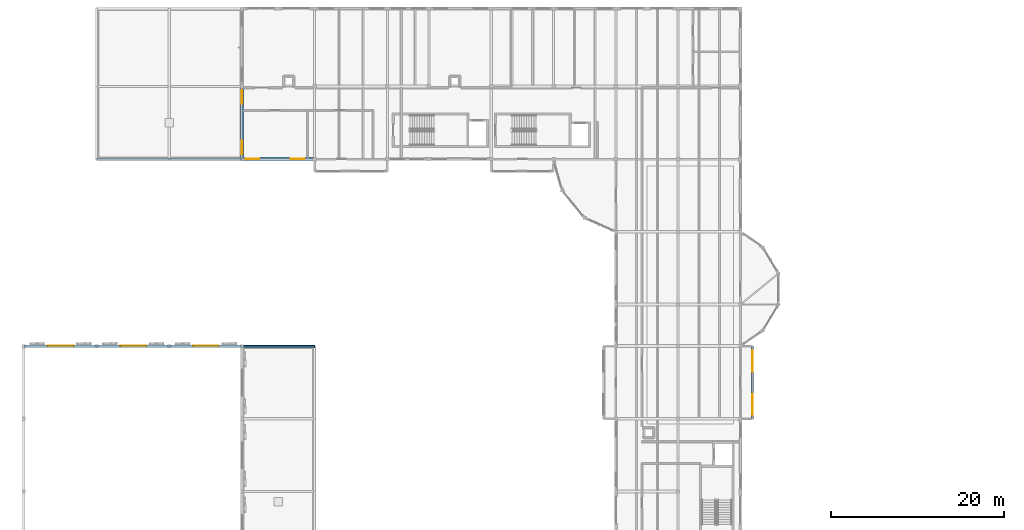
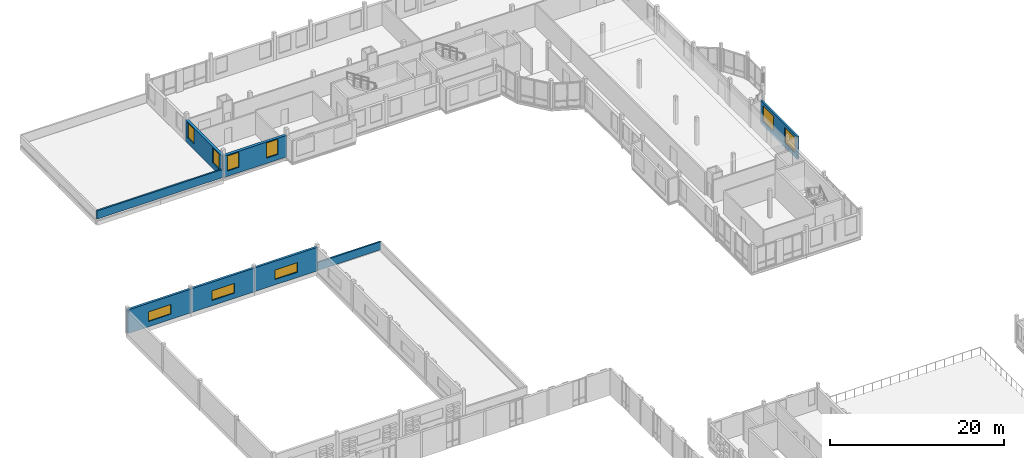
# One storey, part 40 of 57: 9 windows, 8 walls, 9 openings.
"""IFC4 building model written with IfcOpenShell, lengths in metres."""

from ifc_helpers import new_model, si_unit, direction, frame, frame_2d, origin, place, context, subcontext, project, spatial, rectangle, extrude, material, layer, layer_set, type_object, element, fill, save


model = new_model("IFC4")

# Units and contexts
model_context = context("Model", 3, precision=1e-05, world=origin(), true_north=direction((0.0, 1.0)))
body_context = subcontext(model_context, "Body", "Model", "MODEL_VIEW")
ifc_project = project(units=[si_unit("LENGTHUNIT", "METRE"), si_unit("AREAUNIT", "SQUARE_METRE"), si_unit("VOLUMEUNIT", "CUBIC_METRE"), si_unit("PLANEANGLEUNIT", "RADIAN"), si_unit("MASSUNIT", "GRAM", prefix="KILO")], contexts=[model_context])

# Site, building, storey
site_placement = place(None, origin())
site = spatial("IfcSite", under=ifc_project, at=site_placement, CompositionType="ELEMENT")
building_placement = place(site_placement, origin())
building = spatial("IfcBuilding", under=site, at=building_placement, Name="Kahlenmark Community Centre", CompositionType="ELEMENT")
storey_placement = place(building_placement, frame((0.0, 0.0, 13.800048828125)))
storey = spatial("IfcBuildingStorey", under=building, at=storey_placement, Name="L03", CompositionType="ELEMENT", Elevation=13.800048828125)

# Wall, openings, windows
ifc_material_1 = material(Name="Cross-laminated timber CLT C24", Category="wood")
ifc_layer_1 = layer(ifc_material_1, 0.239990234375)
ifc_layer_set_1 = layer_set([ifc_layer_1], Name="Cross-laminated timber CLT C24")
wall_type_1 = type_object("IfcWallType", Name="WT-EW-240", PredefinedType="SOLIDWALL", material=ifc_layer_set_1)
wall_1_placement = place(storey_placement, frame((88.199951171875, 67.60009765625, 0.0), z_axis=(0.0, 0.0, 1.0), x_axis=(0.0, 1.0, 0.0)))
wall_1 = element("IfcWall", 1, at=wall_1_placement, inside=storey, type_object=wall_type_1, Name="Bay oriel wall WL-ORI-L03-0815", PredefinedType="SOLIDWALL", context=body_context, shape_type="SweptSolid", body=[
    extrude(rectangle(XDim=8.39990234375, YDim=0.239990234375, at=frame_2d((4.199951171875, 0.0))), origin(), (0.0, 0.0, 1.0), 3.199951171875),
])
opening_1_placement = place(wall_1_placement, frame((0.4599609375, 0.0, 0.64990234375)))
opening_1 = element("IfcOpeningElement", 2, at=opening_1_placement, cuts=wall_1, Name="Opening W-240X215", PredefinedType="OPENING", context=body_context, shape_type="SweptSolid", body=[
    extrude(rectangle(XDim=2.39990234375, YDim=2.14990234375, at=frame_2d((1.199951171875, 1.074951171875))), frame((0.0, 0.1298828125, 0.0), z_axis=(0.0, -1.0, 0.0), x_axis=(1.0, 0.0, 0.0)), (0.0, 0.0, 1.0), 0.260009765625),
])
opening_2_placement = place(wall_1_placement, frame((5.4599609375, 0.0, 0.64990234375)))
opening_2 = element("IfcOpeningElement", 3, at=opening_2_placement, cuts=wall_1, Name="Opening W-240X215", PredefinedType="OPENING", context=body_context, shape_type="SweptSolid", body=[
    extrude(rectangle(XDim=2.39990234375, YDim=2.14990234375, at=frame_2d((1.199951171875, 1.074951171875))), frame((0.0, 0.1298828125, 0.0), z_axis=(0.0, -1.0, 0.0), x_axis=(1.0, 0.0, 0.0)), (0.0, 0.0, 1.0), 0.260009765625),
])
ifc_material_2 = material(Name="Triple low-e insulated glazing in timber-aluminium frame", Category="wood")
window_type_1 = type_object("IfcWindowType", Name="WNT-240X215", PartitioningType="TRIPLE_PANEL_VERTICAL", PredefinedType="WINDOW", material=ifc_material_2)
window_1_placement = place(opening_1_placement, origin())
window_1 = element("IfcWindow", 4, at=window_1_placement, inside=storey, type_object=window_type_1, Name="Window W-240X215 #0507", OverallHeight=2.14990234375, OverallWidth=2.39990234375, PartitioningType="TRIPLE_PANEL_VERTICAL", PredefinedType="WINDOW", context=body_context, shape_type="SweptSolid", body=[
    extrude(rectangle(XDim=2.39990234375, YDim=2.14990234375, at=frame_2d((1.199951171875, 1.074951171875))), frame((0.0, 0.030029296875, 0.0), z_axis=(0.0, -1.0, 0.0), x_axis=(1.0, 0.0, 0.0)), (0.0, 0.0, 1.0), 0.06005859375),
])
fill(opening_1, window_1)
window_2_placement = place(opening_2_placement, origin())
window_2 = element("IfcWindow", 5, at=window_2_placement, inside=storey, type_object=window_type_1, Name="Window W-240X215 #0508", OverallHeight=2.14990234375, OverallWidth=2.39990234375, PartitioningType="TRIPLE_PANEL_VERTICAL", PredefinedType="WINDOW", context=body_context, shape_type="SweptSolid", body=[
    extrude(rectangle(XDim=2.39990234375, YDim=2.14990234375, at=frame_2d((1.199951171875, 1.074951171875))), frame((0.0, 0.030029296875, 0.0), z_axis=(0.0, -1.0, 0.0), x_axis=(1.0, 0.0, 0.0)), (0.0, 0.0, 1.0), 0.06005859375),
])
fill(opening_2, window_2)

# Wall, opening, window
ifc_layer_2 = layer(ifc_material_1, 0.300048828125)
ifc_layer_set_2 = layer_set([ifc_layer_2], Name="Cross-laminated timber CLT C24")
wall_type_2 = type_object("IfcWallType", Name="WT-EW-300", PredefinedType="SOLIDWALL", material=ifc_layer_set_2)
wall_2_placement = place(storey_placement, frame((12.39990234375, 76.0, 0.0), z_axis=(0.0, 0.0, 1.0), x_axis=(-1.0, 0.0, 0.0)))
wall_2 = element("IfcWall", 6, at=wall_2_placement, inside=storey, type_object=wall_type_2, Name="Exterior wall WL-EXT-L03-0580", PredefinedType="SOLIDWALL", context=body_context, shape_type="SweptSolid", body=[
    extrude(rectangle(XDim=8.39990234375, YDim=0.300048828125, at=frame_2d((4.199951171875, 0.0))), origin(), (0.0, 0.0, 1.0), 3.320068359375),
])
opening_3_placement = place(wall_2_placement, frame((2.659912109375, 0.0, 0.75)))
opening_3 = element("IfcOpeningElement", 7, at=opening_3_placement, cuts=wall_2, Name="Opening W-300X135", PredefinedType="OPENING", context=body_context, shape_type="SweptSolid", body=[
    extrude(rectangle(XDim=3.0, YDim=1.35009765625, at=frame_2d((1.5, 0.675048828125))), frame((0.0, 0.159912109375, 0.0), z_axis=(0.0, -1.0, 0.0), x_axis=(1.0, 0.0, 0.0)), (0.0, 0.0, 1.0), 0.320068359375),
])
ifc_material_3 = material(Name="Triple low-e acoustic clerestory glazing", Category="glass")
window_type_2 = type_object("IfcWindowType", Name="WNT-300X135", PartitioningType="TRIPLE_PANEL_VERTICAL", PredefinedType="WINDOW", material=ifc_material_3)
window_3_placement = place(opening_3_placement, origin())
window_3 = element("IfcWindow", 8, at=window_3_placement, inside=storey, type_object=window_type_2, Name="Window W-300X135 #0352", OverallHeight=1.35009765625, OverallWidth=3.0, PartitioningType="TRIPLE_PANEL_VERTICAL", PredefinedType="WINDOW", context=body_context, shape_type="SweptSolid", body=[
    extrude(rectangle(XDim=3.0, YDim=1.35009765625, at=frame_2d((1.5, 0.675048828125))), frame((0.0, 0.030029296875, 0.0), z_axis=(0.0, -1.0, 0.0), x_axis=(1.0, 0.0, 0.0)), (0.0, 0.0, 1.0), 0.06005859375),
])
fill(opening_3, window_3)

wall_3_placement = place(storey_placement, frame((20.800048828125, 76.0, 0.0), z_axis=(0.0, 0.0, 1.0), x_axis=(-1.0, 0.0, 0.0)))
wall_3 = element("IfcWall", 9, at=wall_3_placement, inside=storey, type_object=wall_type_2, Name="Exterior wall WL-EXT-L03-0581", PredefinedType="SOLIDWALL", context=body_context, shape_type="SweptSolid", body=[
    extrude(rectangle(XDim=8.400146484375, YDim=0.300048828125, at=frame_2d((4.2001953125, 0.0))), origin(), (0.0, 0.0, 1.0), 3.320068359375),
])
opening_4_placement = place(wall_3_placement, frame((2.659912109375, 0.0, 0.75)))
opening_4 = element("IfcOpeningElement", 10, at=opening_4_placement, cuts=wall_3, Name="Opening W-300X135", PredefinedType="OPENING", context=body_context, shape_type="SweptSolid", body=[
    extrude(rectangle(XDim=3.0, YDim=1.35009765625, at=frame_2d((1.5, 0.675048828125))), frame((0.0, 0.159912109375, 0.0), z_axis=(0.0, -1.0, 0.0), x_axis=(1.0, 0.0, 0.0)), (0.0, 0.0, 1.0), 0.320068359375),
])
window_4_placement = place(opening_4_placement, origin())
window_4 = element("IfcWindow", 11, at=window_4_placement, inside=storey, type_object=window_type_2, Name="Window W-300X135 #0353", OverallHeight=1.35009765625, OverallWidth=3.0, PartitioningType="TRIPLE_PANEL_VERTICAL", PredefinedType="WINDOW", context=body_context, shape_type="SweptSolid", body=[
    extrude(rectangle(XDim=3.0, YDim=1.35009765625, at=frame_2d((1.5, 0.675048828125))), frame((0.0, 0.030029296875, 0.0), z_axis=(0.0, -1.0, 0.0), x_axis=(1.0, 0.0, 0.0)), (0.0, 0.0, 1.0), 0.06005859375),
])
fill(opening_4, window_4)

wall_4_placement = place(storey_placement, frame((29.199951171875, 76.0, 0.0), z_axis=(0.0, 0.0, 1.0), x_axis=(-1.0, 0.0, 0.0)))
wall_4 = element("IfcWall", 12, at=wall_4_placement, inside=storey, type_object=wall_type_2, Name="Exterior wall WL-EXT-L03-0582", PredefinedType="SOLIDWALL", context=body_context, shape_type="SweptSolid", body=[
    extrude(rectangle(XDim=8.39990234375, YDim=0.300048828125, at=frame_2d((4.199951171875, 0.0))), origin(), (0.0, 0.0, 1.0), 3.320068359375),
])
opening_5_placement = place(wall_4_placement, frame((2.659912109375, 0.0, 0.75)))
opening_5 = element("IfcOpeningElement", 13, at=opening_5_placement, cuts=wall_4, Name="Opening W-300X135", PredefinedType="OPENING", context=body_context, shape_type="SweptSolid", body=[
    extrude(rectangle(XDim=3.0, YDim=1.35009765625, at=frame_2d((1.5, 0.675048828125))), frame((0.0, 0.159912109375, 0.0), z_axis=(0.0, -1.0, 0.0), x_axis=(1.0, 0.0, 0.0)), (0.0, 0.0, 1.0), 0.320068359375),
])
window_5_placement = place(opening_5_placement, origin())
window_5 = element("IfcWindow", 14, at=window_5_placement, inside=storey, type_object=window_type_2, Name="Window W-300X135 #0354", OverallHeight=1.35009765625, OverallWidth=3.0, PartitioningType="TRIPLE_PANEL_VERTICAL", PredefinedType="WINDOW", context=body_context, shape_type="SweptSolid", body=[
    extrude(rectangle(XDim=3.0, YDim=1.35009765625, at=frame_2d((1.5, 0.675048828125))), frame((0.0, 0.030029296875, 0.0), z_axis=(0.0, -1.0, 0.0), x_axis=(1.0, 0.0, 0.0)), (0.0, 0.0, 1.0), 0.06005859375),
])
fill(opening_5, window_5)

# Wall, openings, windows
ifc_material_4 = material(Name="Danube limestone masonry", Category="masonry")
ifc_layer_3 = layer(ifc_material_4, 0.360107421875)
ifc_layer_set_3 = layer_set([ifc_layer_3], Name="Danube limestone masonry")
wall_type_3 = type_object("IfcWallType", Name="WT-EW-360", PredefinedType="SOLIDWALL", material=ifc_layer_set_3)
wall_5_placement = place(storey_placement, frame((29.199951171875, 97.60009765625, 0.0), z_axis=(0.0, 0.0, 1.0), x_axis=(1.0, 0.0, 0.0)))
wall_5 = element("IfcWall", 15, at=wall_5_placement, inside=storey, type_object=wall_type_3, Name="Exterior wall WL-EXT-L03-0591", PredefinedType="SOLIDWALL", context=body_context, shape_type="SweptSolid", body=[
    extrude(rectangle(XDim=8.400146484375, YDim=0.360107421875, at=frame_2d((4.2001953125, 0.0))), origin(), (0.0, 0.0, 1.0), 3.010009765625),
])
opening_6_placement = place(wall_5_placement, frame((0.4599609375, 0.0, 0.75)))
opening_6 = element("IfcOpeningElement", 16, at=opening_6_placement, cuts=wall_5, Name="Opening W-155X212", PredefinedType="OPENING", context=body_context, shape_type="SweptSolid", body=[
    extrude(rectangle(XDim=1.550048828125, YDim=2.1201171875, at=frame_2d((0.77490234375, 1.06005859375))), frame((0.0, 0.18994140625, 0.0), z_axis=(0.0, -1.0, 0.0), x_axis=(1.0, 0.0, 0.0)), (0.0, 0.0, 1.0), 0.380126953125),
])
opening_7_placement = place(wall_5_placement, frame((5.659912109375, 0.0, 0.75)))
opening_7 = element("IfcOpeningElement", 17, at=opening_7_placement, cuts=wall_5, Name="Opening W-155X212", PredefinedType="OPENING", context=body_context, shape_type="SweptSolid", body=[
    extrude(rectangle(XDim=1.550048828125, YDim=2.1201171875, at=frame_2d((0.77490234375, 1.06005859375))), frame((0.0, 0.18994140625, 0.0), z_axis=(0.0, -1.0, 0.0), x_axis=(1.0, 0.0, 0.0)), (0.0, 0.0, 1.0), 0.380126953125),
])
ifc_material_5 = material(Name="Deep-reveal limestone punched triple glazing", Category="masonry")
window_type_3 = type_object("IfcWindowType", Name="WNT-155X212", PartitioningType="DOUBLE_PANEL_HORIZONTAL", PredefinedType="WINDOW", material=ifc_material_5)
window_6_placement = place(opening_6_placement, origin())
window_6 = element("IfcWindow", 18, at=window_6_placement, inside=storey, type_object=window_type_3, Name="Window W-155X212 #0359", OverallHeight=2.1201171875, OverallWidth=1.550048828125, PartitioningType="DOUBLE_PANEL_HORIZONTAL", PredefinedType="WINDOW", context=body_context, shape_type="SweptSolid", body=[
    extrude(rectangle(XDim=1.550048828125, YDim=2.1201171875, at=frame_2d((0.77490234375, 1.06005859375))), frame((0.0, 0.030029296875, 0.0), z_axis=(0.0, -1.0, 0.0), x_axis=(1.0, 0.0, 0.0)), (0.0, 0.0, 1.0), 0.06005859375),
])
fill(opening_6, window_6)
window_7_placement = place(opening_7_placement, origin())
window_7 = element("IfcWindow", 19, at=window_7_placement, inside=storey, type_object=window_type_3, Name="Window W-155X212 #0360", OverallHeight=2.1201171875, OverallWidth=1.550048828125, PartitioningType="DOUBLE_PANEL_HORIZONTAL", PredefinedType="WINDOW", context=body_context, shape_type="SweptSolid", body=[
    extrude(rectangle(XDim=1.550048828125, YDim=2.1201171875, at=frame_2d((0.77490234375, 1.06005859375))), frame((0.0, 0.030029296875, 0.0), z_axis=(0.0, -1.0, 0.0), x_axis=(1.0, 0.0, 0.0)), (0.0, 0.0, 1.0), 0.06005859375),
])
fill(opening_7, window_7)

wall_6_placement = place(storey_placement, frame((29.199951171875, 106.0, 0.0), z_axis=(0.0, 0.0, 1.0), x_axis=(0.0, -1.0, 0.0)))
wall_6 = element("IfcWall", 20, at=wall_6_placement, inside=storey, type_object=wall_type_3, Name="Exterior wall WL-EXT-L03-0606", PredefinedType="SOLIDWALL", context=body_context, shape_type="SweptSolid", body=[
    extrude(rectangle(XDim=8.39990234375, YDim=0.360107421875, at=frame_2d((4.199951171875, 0.0))), origin(), (0.0, 0.0, 1.0), 3.010009765625),
])
opening_8_placement = place(wall_6_placement, frame((0.4599609375, 0.0, 0.75)))
opening_8 = element("IfcOpeningElement", 21, at=opening_8_placement, cuts=wall_6, Name="Opening W-155X212", PredefinedType="OPENING", context=body_context, shape_type="SweptSolid", body=[
    extrude(rectangle(XDim=1.550048828125, YDim=2.1201171875, at=frame_2d((0.77490234375, 1.06005859375))), frame((0.0, 0.18994140625, 0.0), z_axis=(0.0, -1.0, 0.0), x_axis=(1.0, 0.0, 0.0)), (0.0, 0.0, 1.0), 0.380126953125),
])
opening_9_placement = place(wall_6_placement, frame((6.260009765625, 0.0, 0.75)))
opening_9 = element("IfcOpeningElement", 22, at=opening_9_placement, cuts=wall_6, Name="Opening W-155X212", PredefinedType="OPENING", context=body_context, shape_type="SweptSolid", body=[
    extrude(rectangle(XDim=1.550048828125, YDim=2.1201171875, at=frame_2d((0.77490234375, 1.06005859375))), frame((0.0, 0.18994140625, 0.0), z_axis=(0.0, -1.0, 0.0), x_axis=(1.0, 0.0, 0.0)), (0.0, 0.0, 1.0), 0.380126953125),
])
window_8_placement = place(opening_8_placement, origin())
window_8 = element("IfcWindow", 23, at=window_8_placement, inside=storey, type_object=window_type_3, Name="Window W-155X212 #0377", OverallHeight=2.1201171875, OverallWidth=1.550048828125, PartitioningType="DOUBLE_PANEL_HORIZONTAL", PredefinedType="WINDOW", context=body_context, shape_type="SweptSolid", body=[
    extrude(rectangle(XDim=1.550048828125, YDim=2.1201171875, at=frame_2d((0.77490234375, 1.06005859375))), frame((0.0, 0.030029296875, 0.0), z_axis=(0.0, -1.0, 0.0), x_axis=(1.0, 0.0, 0.0)), (0.0, 0.0, 1.0), 0.06005859375),
])
fill(opening_8, window_8)
window_9_placement = place(opening_9_placement, origin())
window_9 = element("IfcWindow", 24, at=window_9_placement, inside=storey, type_object=window_type_3, Name="Window W-155X212 #0378", OverallHeight=2.1201171875, OverallWidth=1.550048828125, PartitioningType="DOUBLE_PANEL_HORIZONTAL", PredefinedType="WINDOW", context=body_context, shape_type="SweptSolid", body=[
    extrude(rectangle(XDim=1.550048828125, YDim=2.1201171875, at=frame_2d((0.77490234375, 1.06005859375))), frame((0.0, 0.030029296875, 0.0), z_axis=(0.0, -1.0, 0.0), x_axis=(1.0, 0.0, 0.0)), (0.0, 0.0, 1.0), 0.06005859375),
])
fill(opening_9, window_9)

# Walls
ifc_material_6 = material(Name="Concrete C30/37", Category="concrete")
ifc_layer_4 = layer(ifc_material_6, 0.219970703125)
ifc_layer_set_4 = layer_set([ifc_layer_4], Name="Concrete C30/37")
wall_type_4 = type_object("IfcWallType", Name="WT-PAR-220", PredefinedType="PARAPET", material=ifc_layer_set_4)
wall_7_placement = place(storey_placement, frame((12.39990234375, 97.60009765625, 0.0), z_axis=(0.0, 0.0, 1.0), x_axis=(1.0, 0.0, 0.0)))
element("IfcWall", 25, at=wall_7_placement, inside=storey, type_object=wall_type_4, Name="Roof parapet 1039", PredefinedType="PARAPET", context=body_context, shape_type="SweptSolid", body=[
    extrude(rectangle(XDim=16.800048828125, YDim=0.219970703125, at=frame_2d((8.39990234375, 0.0))), origin(), (0.0, 0.0, 1.0), 1.14990234375),
])
wall_8_placement = place(storey_placement, frame((29.199951171875, 76.0, 0.0), z_axis=(0.0, 0.0, 1.0), x_axis=(1.0, 0.0, 0.0)))
element("IfcWall", 26, at=wall_8_placement, inside=storey, type_object=wall_type_4, Name="Roof parapet 1044", PredefinedType="PARAPET", context=body_context, shape_type="SweptSolid", body=[
    extrude(rectangle(XDim=8.400146484375, YDim=0.219970703125, at=frame_2d((4.2001953125, 0.0))), origin(), (0.0, 0.0, 1.0), 1.119873046875),
])

save(model, "model.ifc")
